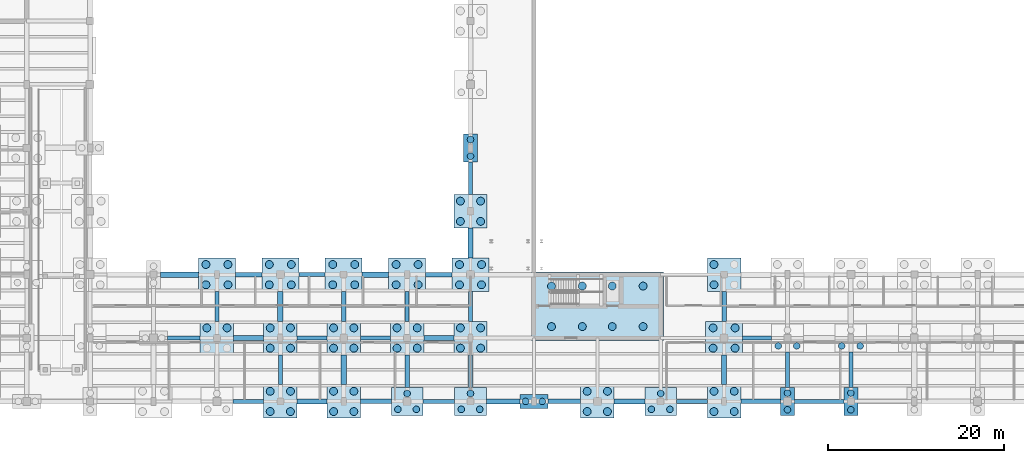
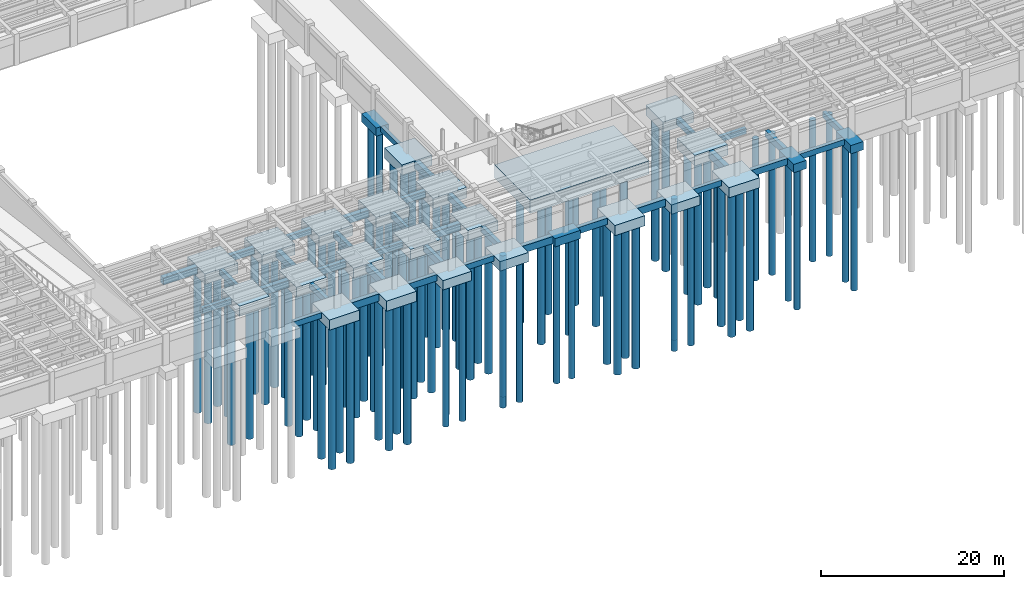
# One storey, part 2 of 33: 93 piles, 61 footings.
"""IFC4 building model written with IfcOpenShell, lengths in metres."""

from ifc_helpers import new_model, si_unit, direction, frame, origin, origin_2d, place, context, subcontext, project, spatial, rectangle, circle, extrude, material, material_profile, profile_set, type_object, element, save


model = new_model("IFC4")

# Units and contexts
model_context = context("Model", 3, precision=1e-05, world=origin(), true_north=direction((0.0, 1.0)))
body_context = subcontext(model_context, "Body", "Model", "MODEL_VIEW")
ifc_project = project(units=[si_unit("LENGTHUNIT", "METRE"), si_unit("AREAUNIT", "SQUARE_METRE"), si_unit("VOLUMEUNIT", "CUBIC_METRE"), si_unit("PLANEANGLEUNIT", "RADIAN"), si_unit("MASSUNIT", "GRAM", prefix="KILO")], contexts=[model_context])

# Site, building, storey
site_placement = place(None, origin())
site = spatial("IfcSite", under=ifc_project, at=site_placement, CompositionType="ELEMENT")
building_placement = place(site_placement, origin())
building = spatial("IfcBuilding", under=site, at=building_placement, Name="Mithqara Police Headquarters", CompositionType="ELEMENT")
storey_placement = place(building_placement, frame((0.0, 0.0, -4.199951171875)))
storey = spatial("IfcBuildingStorey", under=building, at=storey_placement, Name="B1", CompositionType="ELEMENT", Elevation=-4.199951171875)

# Footings
ifc_material = material(Name="Concrete C40/50", Category="concrete")
footing_type_1 = type_object("IfcFootingType", Name="CORE MAT B1 15000X7800X1750", PredefinedType="PILE_CAP", material=ifc_material)
footing_1_placement = place(storey_placement, frame((87.0, 31.800048828125, -1.75), z_axis=(0.0, 0.0, 1.0), x_axis=(1.0, 0.0, 0.0)))
element("IfcFooting", 1, at=footing_1_placement, inside=storey, type_object=footing_type_1, Name="Core C5 Courtyard South Piled Core Raft", PredefinedType="PILE_CAP", context=body_context, shape_type="SweptSolid", body=[
    extrude(rectangle(XDim=15.0, YDim=7.800048828125, at=origin_2d()), origin(), (0.0, 0.0, 1.0), 1.75),
])
footing_type_2 = type_object("IfcFootingType", Name="GROUND BEAM 450X750", PredefinedType="FOOTING_BEAM", material=ifc_material)
footing_2_placement = place(storey_placement, frame((40.050048828125, 28.199951171875, -0.75), z_axis=(0.0, 0.0, 1.0), x_axis=(1.0, 0.0, 0.0)))
element("IfcFooting", 2, at=footing_2_placement, inside=storey, type_object=footing_type_2, Name="B1 Ground Tie Beam 6-7/E", PredefinedType="FOOTING_BEAM", context=body_context, shape_type="SweptSolid", body=[
    extrude(rectangle(XDim=3.699951171875, YDim=0.449951171875, at=origin_2d()), origin(), (0.0, 0.0, 1.0), 0.75),
])
footing_3_placement = place(storey_placement, frame((47.35009765625, 21.0, -0.75), z_axis=(0.0, 0.0, 1.0), x_axis=(1.0, 0.0, 0.0)))
element("IfcFooting", 3, at=footing_3_placement, inside=storey, type_object=footing_type_2, Name="B1 Ground Tie Beam 7-8/D", PredefinedType="FOOTING_BEAM", context=body_context, shape_type="SweptSolid", body=[
    extrude(rectangle(XDim=3.5, YDim=0.449951171875, at=origin_2d()), origin(), (0.0, 0.0, 1.0), 0.75),
])
for number, where, z_axis, x_axis, name in (
    (4, (43.800048828125, 31.800048828125, -0.75), (0.0, 0.0, 1.0), (1.0, 0.0, 0.0), "B1 Ground Tie Beam 7/E-F"),
    (5, (51.0, 24.60009765625, -0.75), (0.0, 0.0, 1.0), (1.0, 0.0, 0.0), "B1 Ground Tie Beam 8/D-E"),
):
    element("IfcFooting", number, at=place(storey_placement, frame(where, z_axis=z_axis, x_axis=x_axis)), inside=storey, type_object=footing_type_2, Name=name, PredefinedType="FOOTING_BEAM", context=body_context, shape_type="SweptSolid", body=[
        extrude(rectangle(XDim=0.449951171875, YDim=3.39990234375, at=origin_2d()), origin(), (0.0, 0.0, 1.0), 0.75),
    ])
footing_4_placement = place(storey_placement, frame((54.60009765625, 35.39990234375, -0.75), z_axis=(0.0, 0.0, 1.0), x_axis=(1.0, 0.0, 0.0)))
element("IfcFooting", 6, at=footing_4_placement, inside=storey, type_object=footing_type_2, Name="B1 Ground Tie Beam 8-9/F", PredefinedType="FOOTING_BEAM", context=body_context, shape_type="SweptSolid", body=[
    extrude(rectangle(XDim=3.0, YDim=0.449951171875, at=origin_2d()), origin(), (0.0, 0.0, 1.0), 0.75),
])
footing_5_placement = place(storey_placement, frame((61.800048828125, 28.199951171875, -0.75), z_axis=(0.0, 0.0, 1.0), x_axis=(1.0, 0.0, 0.0)))
element("IfcFooting", 7, at=footing_5_placement, inside=storey, type_object=footing_type_2, Name="B1 Ground Tie Beam 9-10/E", PredefinedType="FOOTING_BEAM", context=body_context, shape_type="SweptSolid", body=[
    extrude(rectangle(XDim=3.39990234375, YDim=0.449951171875, at=origin_2d()), origin(), (0.0, 0.0, 1.0), 0.75),
])
footing_6_placement = place(storey_placement, frame((69.0, 21.0, -0.75), z_axis=(0.0, 0.0, 1.0), x_axis=(1.0, 0.0, 0.0)))
element("IfcFooting", 8, at=footing_6_placement, inside=storey, type_object=footing_type_2, Name="B1 Ground Tie Beam 10-11/D", PredefinedType="FOOTING_BEAM", context=body_context, shape_type="SweptSolid", body=[
    extrude(rectangle(XDim=3.60009765625, YDim=0.449951171875, at=origin_2d()), origin(), (0.0, 0.0, 1.0), 0.75),
])
footing_7_placement = place(storey_placement, frame((65.39990234375, 31.800048828125, -0.75), z_axis=(0.0, 0.0, 1.0), x_axis=(1.0, 0.0, 0.0)))
element("IfcFooting", 9, at=footing_7_placement, inside=storey, type_object=footing_type_2, Name="B1 Ground Tie Beam 10/E-F", PredefinedType="FOOTING_BEAM", context=body_context, shape_type="SweptSolid", body=[
    extrude(rectangle(XDim=0.449951171875, YDim=3.39990234375, at=origin_2d()), origin(), (0.0, 0.0, 1.0), 0.75),
])
for number, where, z_axis, x_axis, name in (
    (10, (72.60009765625, 24.449951171875, -0.75), (0.0, 0.0, 1.0), (1.0, 0.0, 0.0), "B1 Ground Tie Beam 11/D-E"),
    (11, (72.60009765625, 46.35009765625, -0.75), (0.0, 0.0, 1.0), (1.0, 0.0, 0.0), "B1 Ground Tie Beam 11/G-H"),
):
    element("IfcFooting", number, at=place(storey_placement, frame(where, z_axis=z_axis, x_axis=x_axis)), inside=storey, type_object=footing_type_2, Name=name, PredefinedType="FOOTING_BEAM", context=body_context, shape_type="SweptSolid", body=[
        extrude(rectangle(XDim=0.449951171875, YDim=3.699951171875, at=origin_2d()), origin(), (0.0, 0.0, 1.0), 0.75),
    ])
footing_8_placement = place(storey_placement, frame((97.75, 21.0, -0.75), z_axis=(0.0, 0.0, 1.0), x_axis=(1.0, 0.0, 0.0)))
element("IfcFooting", 12, at=footing_8_placement, inside=storey, type_object=footing_type_2, Name="B1 Ground Tie Beam 14-15/D", PredefinedType="FOOTING_BEAM", context=body_context, shape_type="SweptSolid", body=[
    extrude(rectangle(XDim=3.5, YDim=0.449951171875, at=origin_2d()), origin(), (0.0, 0.0, 1.0), 0.75),
])
footing_9_placement = place(storey_placement, frame((105.14990234375, 28.199951171875, -0.75), z_axis=(0.0, 0.0, 1.0), x_axis=(1.0, 0.0, 0.0)))
element("IfcFooting", 13, at=footing_9_placement, inside=storey, type_object=footing_type_2, Name="B1 Ground Tie Beam 15-16/E", PredefinedType="FOOTING_BEAM", context=body_context, shape_type="SweptSolid", body=[
    extrude(rectangle(XDim=3.300048828125, YDim=0.449951171875, at=origin_2d()), origin(), (0.0, 0.0, 1.0), 0.75),
])
footing_10_placement = place(storey_placement, frame((112.199951171875, 21.0, -0.75), z_axis=(0.0, 0.0, 1.0), x_axis=(1.0, 0.0, 0.0)))
element("IfcFooting", 14, at=footing_10_placement, inside=storey, type_object=footing_type_2, Name="B1 Ground Tie Beam 16-17/D", PredefinedType="FOOTING_BEAM", context=body_context, shape_type="SweptSolid", body=[
    extrude(rectangle(XDim=5.60009765625, YDim=0.449951171875, at=origin_2d()), origin(), (0.0, 0.0, 1.0), 0.75),
])
footing_11_placement = place(storey_placement, frame((115.800048828125, 24.60009765625, -0.75), z_axis=(0.0, 0.0, 1.0), x_axis=(1.0, 0.0, 0.0)))
element("IfcFooting", 15, at=footing_11_placement, inside=storey, type_object=footing_type_2, Name="B1 Ground Tie Beam 17/D-E", PredefinedType="FOOTING_BEAM", context=body_context, shape_type="SweptSolid", body=[
    extrude(rectangle(XDim=0.449951171875, YDim=4.0, at=origin_2d()), origin(), (0.0, 0.0, 1.0), 0.75),
])
footing_type_3 = type_object("IfcFootingType", Name="GROUND BEAM 500X850", PredefinedType="FOOTING_BEAM", material=ifc_material)
footing_12_placement = place(storey_placement, frame((47.39990234375, 35.39990234375, -0.85009765625), z_axis=(0.0, 0.0, 1.0), x_axis=(1.0, 0.0, 0.0)))
element("IfcFooting", 16, at=footing_12_placement, inside=storey, type_object=footing_type_3, Name="B1 Ground Tie Beam 7-8/F", PredefinedType="FOOTING_BEAM", context=body_context, shape_type="SweptSolid", body=[
    extrude(rectangle(XDim=3.0, YDim=0.5, at=origin_2d()), origin(), (0.0, 0.0, 1.0), 0.85009765625),
])
footing_13_placement = place(storey_placement, frame((54.60009765625, 28.199951171875, -0.85009765625), z_axis=(0.0, 0.0, 1.0), x_axis=(1.0, 0.0, 0.0)))
element("IfcFooting", 17, at=footing_13_placement, inside=storey, type_object=footing_type_3, Name="B1 Ground Tie Beam 8-9/E", PredefinedType="FOOTING_BEAM", context=body_context, shape_type="SweptSolid", body=[
    extrude(rectangle(XDim=3.39990234375, YDim=0.5, at=origin_2d()), origin(), (0.0, 0.0, 1.0), 0.85009765625),
])
footing_14_placement = place(storey_placement, frame((61.85009765625, 21.0, -0.85009765625), z_axis=(0.0, 0.0, 1.0), x_axis=(1.0, 0.0, 0.0)))
element("IfcFooting", 18, at=footing_14_placement, inside=storey, type_object=footing_type_3, Name="B1 Ground Tie Beam 9-10/D", PredefinedType="FOOTING_BEAM", context=body_context, shape_type="SweptSolid", body=[
    extrude(rectangle(XDim=3.5, YDim=0.5, at=origin_2d()), origin(), (0.0, 0.0, 1.0), 0.85009765625),
])
footing_15_placement = place(storey_placement, frame((58.199951171875, 31.800048828125, -0.85009765625), z_axis=(0.0, 0.0, 1.0), x_axis=(1.0, 0.0, 0.0)))
element("IfcFooting", 19, at=footing_15_placement, inside=storey, type_object=footing_type_3, Name="B1 Ground Tie Beam 9/E-F", PredefinedType="FOOTING_BEAM", context=body_context, shape_type="SweptSolid", body=[
    extrude(rectangle(XDim=0.5, YDim=3.39990234375, at=origin_2d()), origin(), (0.0, 0.0, 1.0), 0.85009765625),
])
footing_16_placement = place(storey_placement, frame((65.39990234375, 24.449951171875, -0.85009765625), z_axis=(0.0, 0.0, 1.0), x_axis=(1.0, 0.0, 0.0)))
element("IfcFooting", 20, at=footing_16_placement, inside=storey, type_object=footing_type_3, Name="B1 Ground Tie Beam 10/D-E", PredefinedType="FOOTING_BEAM", context=body_context, shape_type="SweptSolid", body=[
    extrude(rectangle(XDim=0.5, YDim=3.699951171875, at=origin_2d()), origin(), (0.0, 0.0, 1.0), 0.85009765625),
])
footing_17_placement = place(storey_placement, frame((69.0, 35.39990234375, -0.85009765625), z_axis=(0.0, 0.0, 1.0), x_axis=(1.0, 0.0, 0.0)))
element("IfcFooting", 21, at=footing_17_placement, inside=storey, type_object=footing_type_3, Name="B1 Ground Tie Beam 10-11/F", PredefinedType="FOOTING_BEAM", context=body_context, shape_type="SweptSolid", body=[
    extrude(rectangle(XDim=3.0, YDim=0.5, at=origin_2d()), origin(), (0.0, 0.0, 1.0), 0.85009765625),
])
footing_18_placement = place(storey_placement, frame((72.60009765625, 31.800048828125, -0.85009765625), z_axis=(0.0, 0.0, 1.0), x_axis=(1.0, 0.0, 0.0)))
element("IfcFooting", 22, at=footing_18_placement, inside=storey, type_object=footing_type_3, Name="B1 Ground Tie Beam 11/E-F", PredefinedType="FOOTING_BEAM", context=body_context, shape_type="SweptSolid", body=[
    extrude(rectangle(XDim=0.5, YDim=3.39990234375, at=origin_2d()), origin(), (0.0, 0.0, 1.0), 0.85009765625),
])
footing_19_placement = place(storey_placement, frame((83.25, 21.0, -0.85009765625), z_axis=(0.0, 0.0, 1.0), x_axis=(1.0, 0.0, 0.0)))
element("IfcFooting", 23, at=footing_19_placement, inside=storey, type_object=footing_type_3, Name="B1 Ground Tie Beam 12-13/D", PredefinedType="FOOTING_BEAM", context=body_context, shape_type="SweptSolid", body=[
    extrude(rectangle(XDim=3.699951171875, YDim=0.5, at=origin_2d()), origin(), (0.0, 0.0, 1.0), 0.85009765625),
])
footing_20_placement = place(storey_placement, frame((105.550048828125, 21.0, -0.85009765625), z_axis=(0.0, 0.0, 1.0), x_axis=(1.0, 0.0, 0.0)))
element("IfcFooting", 24, at=footing_20_placement, inside=storey, type_object=footing_type_3, Name="B1 Ground Tie Beam 15-16/D", PredefinedType="FOOTING_BEAM", context=body_context, shape_type="SweptSolid", body=[
    extrude(rectangle(XDim=4.5, YDim=0.5, at=origin_2d()), origin(), (0.0, 0.0, 1.0), 0.85009765625),
])
footing_21_placement = place(storey_placement, frame((101.39990234375, 31.800048828125, -0.85009765625), z_axis=(0.0, 0.0, 1.0), x_axis=(1.0, 0.0, 0.0)))
element("IfcFooting", 25, at=footing_21_placement, inside=storey, type_object=footing_type_3, Name="B1 Ground Tie Beam 15/E-F", PredefinedType="FOOTING_BEAM", context=body_context, shape_type="SweptSolid", body=[
    extrude(rectangle(XDim=0.5, YDim=3.39990234375, at=origin_2d()), origin(), (0.0, 0.0, 1.0), 0.85009765625),
])
footing_22_placement = place(storey_placement, frame((108.60009765625, 24.60009765625, -0.85009765625), z_axis=(0.0, 0.0, 1.0), x_axis=(1.0, 0.0, 0.0)))
element("IfcFooting", 26, at=footing_22_placement, inside=storey, type_object=footing_type_3, Name="B1 Ground Tie Beam 16/D-E", PredefinedType="FOOTING_BEAM", context=body_context, shape_type="SweptSolid", body=[
    extrude(rectangle(XDim=0.5, YDim=4.0, at=origin_2d()), origin(), (0.0, 0.0, 1.0), 0.85009765625),
])
footing_type_4 = type_object("IfcFootingType", Name="GROUND BEAM 600X950", PredefinedType="FOOTING_BEAM", material=ifc_material)
footing_23_placement = place(storey_placement, frame((39.550048828125, 35.39990234375, -0.9501953125), z_axis=(0.0, 0.0, 1.0), x_axis=(1.0, 0.0, 0.0)))
element("IfcFooting", 27, at=footing_23_placement, inside=storey, type_object=footing_type_4, Name="B1 Ground Tie Beam 6-7/F", PredefinedType="FOOTING_BEAM", context=body_context, shape_type="SweptSolid", body=[
    extrude(rectangle(XDim=4.300048828125, YDim=0.60009765625, at=origin_2d()), origin(), (0.0, 0.0, 1.0), 0.949951171875),
])
for number, where, z_axis, x_axis, name in (
    (28, (47.39990234375, 28.199951171875, -0.9501953125), (0.0, 0.0, 1.0), (1.0, 0.0, 0.0), "B1 Ground Tie Beam 7-8/E"),
    (29, (54.60009765625, 21.0, -0.9501953125), (0.0, 0.0, 1.0), (1.0, 0.0, 0.0), "B1 Ground Tie Beam 8-9/D"),
):
    element("IfcFooting", number, at=place(storey_placement, frame(where, z_axis=z_axis, x_axis=x_axis)), inside=storey, type_object=footing_type_4, Name=name, PredefinedType="FOOTING_BEAM", context=body_context, shape_type="SweptSolid", body=[
        extrude(rectangle(XDim=3.39990234375, YDim=0.60009765625, at=origin_2d()), origin(), (0.0, 0.0, 1.0), 0.949951171875),
    ])
for number, where, z_axis, x_axis, name in (
    (30, (51.0, 31.800048828125, -0.9501953125), (0.0, 0.0, 1.0), (1.0, 0.0, 0.0), "B1 Ground Tie Beam 8/E-F"),
    (31, (58.199951171875, 24.60009765625, -0.9501953125), (0.0, 0.0, 1.0), (1.0, 0.0, 0.0), "B1 Ground Tie Beam 9/D-E"),
):
    element("IfcFooting", number, at=place(storey_placement, frame(where, z_axis=z_axis, x_axis=x_axis)), inside=storey, type_object=footing_type_4, Name=name, PredefinedType="FOOTING_BEAM", context=body_context, shape_type="SweptSolid", body=[
        extrude(rectangle(XDim=0.60009765625, YDim=3.39990234375, at=origin_2d()), origin(), (0.0, 0.0, 1.0), 0.949951171875),
    ])
footing_24_placement = place(storey_placement, frame((61.800048828125, 35.39990234375, -0.9501953125), z_axis=(0.0, 0.0, 1.0), x_axis=(1.0, 0.0, 0.0)))
element("IfcFooting", 32, at=footing_24_placement, inside=storey, type_object=footing_type_4, Name="B1 Ground Tie Beam 9-10/F", PredefinedType="FOOTING_BEAM", context=body_context, shape_type="SweptSolid", body=[
    extrude(rectangle(XDim=3.0, YDim=0.60009765625, at=origin_2d()), origin(), (0.0, 0.0, 1.0), 0.949951171875),
])
footing_25_placement = place(storey_placement, frame((69.0, 28.199951171875, -0.9501953125), z_axis=(0.0, 0.0, 1.0), x_axis=(1.0, 0.0, 0.0)))
element("IfcFooting", 33, at=footing_25_placement, inside=storey, type_object=footing_type_4, Name="B1 Ground Tie Beam 10-11/E", PredefinedType="FOOTING_BEAM", context=body_context, shape_type="SweptSolid", body=[
    extrude(rectangle(XDim=3.39990234375, YDim=0.60009765625, at=origin_2d()), origin(), (0.0, 0.0, 1.0), 0.949951171875),
])
footing_26_placement = place(storey_placement, frame((76.300048828125, 21.0, -0.9501953125), z_axis=(0.0, 0.0, 1.0), x_axis=(1.0, 0.0, 0.0)))
element("IfcFooting", 34, at=footing_26_placement, inside=storey, type_object=footing_type_4, Name="B1 Ground Tie Beam 11-12/D", PredefinedType="FOOTING_BEAM", context=body_context, shape_type="SweptSolid", body=[
    extrude(rectangle(XDim=3.800048828125, YDim=0.60009765625, at=origin_2d()), origin(), (0.0, 0.0, 1.0), 0.949951171875),
])
footing_27_placement = place(storey_placement, frame((72.60009765625, 39.0, -0.9501953125), z_axis=(0.0, 0.0, 1.0), x_axis=(1.0, 0.0, 0.0)))
element("IfcFooting", 35, at=footing_27_placement, inside=storey, type_object=footing_type_4, Name="B1 Ground Tie Beam 11/F-G", PredefinedType="FOOTING_BEAM", context=body_context, shape_type="SweptSolid", body=[
    extrude(rectangle(XDim=0.60009765625, YDim=3.39990234375, at=origin_2d()), origin(), (0.0, 0.0, 1.0), 0.949951171875),
])
footing_28_placement = place(storey_placement, frame((90.64990234375, 21.0, -0.9501953125), z_axis=(0.0, 0.0, 1.0), x_axis=(1.0, 0.0, 0.0)))
element("IfcFooting", 36, at=footing_28_placement, inside=storey, type_object=footing_type_4, Name="B1 Ground Tie Beam 13-14/D", PredefinedType="FOOTING_BEAM", context=body_context, shape_type="SweptSolid", body=[
    extrude(rectangle(XDim=3.5, YDim=0.60009765625, at=origin_2d()), origin(), (0.0, 0.0, 1.0), 0.949951171875),
])
footing_29_placement = place(storey_placement, frame((101.39990234375, 24.60009765625, -0.9501953125), z_axis=(0.0, 0.0, 1.0), x_axis=(1.0, 0.0, 0.0)))
element("IfcFooting", 37, at=footing_29_placement, inside=storey, type_object=footing_type_4, Name="B1 Ground Tie Beam 15/D-E", PredefinedType="FOOTING_BEAM", context=body_context, shape_type="SweptSolid", body=[
    extrude(rectangle(XDim=0.60009765625, YDim=3.39990234375, at=origin_2d()), origin(), (0.0, 0.0, 1.0), 0.949951171875),
])
footing_type_5 = type_object("IfcFootingType", Name="PILE CAP 2P 1600X3200X1100", PredefinedType="PILE_CAP", material=ifc_material)
for number, where, z_axis, x_axis, name in (
    (38, (72.60009765625, 49.800048828125, -1.10009765625), (0.0, 0.0, 1.0), (1.0, 0.0, 0.0), "B1 Pile Cap 11/H"),
    (39, (108.60009765625, 21.0, -1.10009765625), (0.0, 0.0, 1.0), (1.0, 0.0, 0.0), "B1 Pile Cap 16/D"),
    (40, (115.800048828125, 21.0, -1.10009765625), (0.0, 0.0, 1.0), (1.0, 0.0, 0.0), "B1 Pile Cap 17/D"),
):
    element("IfcFooting", number, at=place(storey_placement, frame(where, z_axis=z_axis, x_axis=x_axis)), inside=storey, type_object=footing_type_5, Name=name, PredefinedType="PILE_CAP", context=body_context, shape_type="SweptSolid", body=[
        extrude(rectangle(XDim=1.60009765625, YDim=3.199951171875, at=origin_2d()), origin(), (0.0, 0.0, 1.0), 1.10009765625),
    ])
footing_type_6 = type_object("IfcFootingType", Name="PILE CAP 2P 3200X1600X1100", PredefinedType="PILE_CAP", material=ifc_material)
footing_30_placement = place(storey_placement, frame((79.800048828125, 21.0, -1.10009765625), z_axis=(0.0, 0.0, 1.0), x_axis=(1.0, 0.0, 0.0)))
element("IfcFooting", 41, at=footing_30_placement, inside=storey, type_object=footing_type_6, Name="B1 Pile Cap 12/D", PredefinedType="PILE_CAP", context=body_context, shape_type="SweptSolid", body=[
    extrude(rectangle(XDim=3.199951171875, YDim=1.60009765625, at=origin_2d()), origin(), (0.0, 0.0, 1.0), 1.10009765625),
])
footing_type_7 = type_object("IfcFootingType", Name="PILE CAP 3P 3600X3200X1250", PredefinedType="PILE_CAP", material=ifc_material)
for number, where, z_axis, x_axis, name in (
    (42, (65.39990234375, 21.0, -1.25), (0.0, 0.0, 1.0), (1.0, 0.0, 0.0), "B1 Pile Cap 10/D"),
    (43, (72.60009765625, 21.0, -1.25), (0.0, 0.0, 1.0), (1.0, 0.0, 0.0), "B1 Pile Cap 11/D"),
    (44, (94.199951171875, 21.0, -1.25), (0.0, 0.0, 1.0), (1.0, 0.0, 0.0), "B1 Pile Cap 14/D"),
):
    element("IfcFooting", number, at=place(storey_placement, frame(where, z_axis=z_axis, x_axis=x_axis)), inside=storey, type_object=footing_type_7, Name=name, PredefinedType="PILE_CAP", context=body_context, shape_type="SweptSolid", body=[
        extrude(rectangle(XDim=3.60009765625, YDim=3.199951171875, at=origin_2d()), origin(), (0.0, 0.0, 1.0), 1.25),
    ])
footing_type_8 = type_object("IfcFootingType", Name="PILE CAP 4P 3800X3800X1350", PredefinedType="PILE_CAP", material=ifc_material)
for number, where, z_axis, x_axis, name in (
    (45, (43.800048828125, 28.199951171875, -1.35009765625), (0.0, 0.0, 1.0), (1.0, 0.0, 0.0), "B1 Pile Cap 7/E"),
    (46, (51.0, 21.0, -1.35009765625), (0.0, 0.0, 1.0), (1.0, 0.0, 0.0), "B1 Pile Cap 8/D"),
    (47, (51.0, 28.199951171875, -1.35009765625), (0.0, 0.0, 1.0), (1.0, 0.0, 0.0), "B1 Pile Cap 8/E"),
    (48, (58.199951171875, 21.0, -1.35009765625), (0.0, 0.0, 1.0), (1.0, 0.0, 0.0), "B1 Pile Cap 9/D"),
    (49, (58.199951171875, 28.199951171875, -1.35009765625), (0.0, 0.0, 1.0), (1.0, 0.0, 0.0), "B1 Pile Cap 9/E"),
    (50, (65.39990234375, 28.199951171875, -1.35009765625), (0.0, 0.0, 1.0), (1.0, 0.0, 0.0), "B1 Pile Cap 10/E"),
    (51, (72.60009765625, 28.199951171875, -1.35009765625), (0.0, 0.0, 1.0), (1.0, 0.0, 0.0), "B1 Pile Cap 11/E"),
    (52, (72.60009765625, 42.60009765625, -1.35009765625), (0.0, 0.0, 1.0), (1.0, 0.0, 0.0), "B1 Pile Cap 11/G"),
    (53, (87.0, 21.0, -1.35009765625), (0.0, 0.0, 1.0), (1.0, 0.0, 0.0), "B1 Pile Cap 13/D"),
    (54, (101.39990234375, 21.0, -1.35009765625), (0.0, 0.0, 1.0), (1.0, 0.0, 0.0), "B1 Pile Cap 15/D"),
    (55, (101.39990234375, 35.39990234375, -1.35009765625), (0.0, 0.0, 1.0), (1.0, 0.0, 0.0), "B1 Pile Cap 15/F"),
):
    element("IfcFooting", number, at=place(storey_placement, frame(where, z_axis=z_axis, x_axis=x_axis)), inside=storey, type_object=footing_type_8, Name=name, PredefinedType="PILE_CAP", context=body_context, shape_type="SweptSolid", body=[
        extrude(rectangle(XDim=3.800048828125, YDim=3.800048828125, at=origin_2d()), origin(), (0.0, 0.0, 1.0), 1.35009765625),
    ])
footing_type_9 = type_object("IfcFootingType", Name="PILE CAP 4P 4200X3800X1400", PredefinedType="PILE_CAP", material=ifc_material)
for number, where, z_axis, x_axis, name in (
    (56, (43.800048828125, 35.39990234375, -1.39990234375), (0.0, 0.0, 1.0), (1.0, 0.0, 0.0), "B1 Pile Cap 7/F"),
    (57, (51.0, 35.39990234375, -1.39990234375), (0.0, 0.0, 1.0), (1.0, 0.0, 0.0), "B1 Pile Cap 8/F"),
    (58, (58.199951171875, 35.39990234375, -1.39990234375), (0.0, 0.0, 1.0), (1.0, 0.0, 0.0), "B1 Pile Cap 9/F"),
    (59, (65.39990234375, 35.39990234375, -1.39990234375), (0.0, 0.0, 1.0), (1.0, 0.0, 0.0), "B1 Pile Cap 10/F"),
    (60, (72.60009765625, 35.39990234375, -1.39990234375), (0.0, 0.0, 1.0), (1.0, 0.0, 0.0), "B1 Pile Cap 11/F"),
    (61, (101.39990234375, 28.199951171875, -1.39990234375), (0.0, 0.0, 1.0), (1.0, 0.0, 0.0), "B1 Pile Cap 15/E"),
):
    element("IfcFooting", number, at=place(storey_placement, frame(where, z_axis=z_axis, x_axis=x_axis)), inside=storey, type_object=footing_type_9, Name=name, PredefinedType="PILE_CAP", context=body_context, shape_type="SweptSolid", body=[
        extrude(rectangle(XDim=4.199951171875, YDim=3.800048828125, at=origin_2d()), origin(), (0.0, 0.0, 1.0), 1.39990234375),
    ])

# Piles
ifc_material_profile_1 = material_profile(ifc_material, circle(Radius=0.375, at=origin_2d()), Name="PILE D750")
ifc_profile_set_1 = profile_set([ifc_material_profile_1], Name="Concrete C40/50")
pile_type_1 = type_object("IfcPileType", Name="PILE D750 18M", PredefinedType="BORED", material=ifc_profile_set_1)
for number, where, z_axis, x_axis, name in (
    (62, (64.35009765625, 20.10009765625, -1.10009765625), (0.0, 0.0, -1.0), (1.0, 0.0, 0.0), "Bored Pile 10/D-1"),
    (63, (66.449951171875, 20.10009765625, -1.10009765625), (0.0, 0.0, -1.0), (1.0, 0.0, 0.0), "Bored Pile 10/D-2"),
    (64, (65.39990234375, 21.89990234375, -1.10009765625), (0.0, 0.0, -1.0), (1.0, 0.0, 0.0), "Bored Pile 10/D-3"),
    (65, (71.550048828125, 20.10009765625, -1.10009765625), (0.0, 0.0, -1.0), (1.0, 0.0, 0.0), "Bored Pile 11/D-1"),
    (66, (73.64990234375, 20.10009765625, -1.10009765625), (0.0, 0.0, -1.0), (1.0, 0.0, 0.0), "Bored Pile 11/D-2"),
    (67, (72.60009765625, 21.89990234375, -1.10009765625), (0.0, 0.0, -1.0), (1.0, 0.0, 0.0), "Bored Pile 11/D-3"),
    (68, (72.60009765625, 48.85009765625, -0.949951171875), (0.0, 0.0, -1.0), (1.0, 0.0, 0.0), "Bored Pile 11/H-1"),
    (69, (72.60009765625, 50.75, -0.949951171875), (0.0, 0.0, -1.0), (1.0, 0.0, 0.0), "Bored Pile 11/H-2"),
    (70, (78.85009765625, 21.0, -0.949951171875), (0.0, 0.0, -1.0), (1.0, 0.0, 0.0), "Bored Pile 12/D-1"),
    (71, (80.75, 21.0, -0.949951171875), (0.0, 0.0, -1.0), (1.0, 0.0, 0.0), "Bored Pile 12/D-2"),
    (72, (93.14990234375, 20.10009765625, -1.10009765625), (0.0, 0.0, -1.0), (1.0, 0.0, 0.0), "Bored Pile 14/D-1"),
    (73, (95.25, 20.10009765625, -1.10009765625), (0.0, 0.0, -1.0), (1.0, 0.0, 0.0), "Bored Pile 14/D-2"),
    (74, (94.199951171875, 21.89990234375, -1.10009765625), (0.0, 0.0, -1.0), (1.0, 0.0, 0.0), "Bored Pile 14/D-3"),
    (75, (108.60009765625, 20.050048828125, -0.949951171875), (0.0, 0.0, -1.0), (1.0, 0.0, 0.0), "Bored Pile 16/D-1"),
    (76, (108.60009765625, 21.949951171875, -0.949951171875), (0.0, 0.0, -1.0), (1.0, 0.0, 0.0), "Bored Pile 16/D-2"),
    (77, (107.550048828125, 27.300048828125, -1.10009765625), (0.0, 0.0, -1.0), (1.0, 0.0, 0.0), "Bored Pile 16/E-1"),
    (78, (109.64990234375, 27.300048828125, -1.10009765625), (0.0, 0.0, -1.0), (1.0, 0.0, 0.0), "Bored Pile 16/E-2"),
    (79, (115.800048828125, 20.050048828125, -0.949951171875), (0.0, 0.0, -1.0), (1.0, 0.0, 0.0), "Bored Pile 17/D-1"),
    (80, (115.800048828125, 21.949951171875, -0.949951171875), (0.0, 0.0, -1.0), (1.0, 0.0, 0.0), "Bored Pile 17/D-2"),
    (81, (114.75, 27.300048828125, -1.10009765625), (0.0, 0.0, -1.0), (1.0, 0.0, 0.0), "Bored Pile 17/E-1"),
    (82, (116.85009765625, 27.300048828125, -1.10009765625), (0.0, 0.0, -1.0), (1.0, 0.0, 0.0), "Bored Pile 17/E-2"),
):
    element("IfcPile", number, at=place(storey_placement, frame(where, z_axis=z_axis, x_axis=x_axis)), inside=storey, type_object=pile_type_1, Name=name, PredefinedType="BORED", context=body_context, shape_type="SweptSolid", body=[
        extrude(circle(Radius=0.375, at=origin_2d()), origin(), (0.0, 0.0, 1.0), 18.85009765625),
    ])
ifc_material_profile_2 = material_profile(ifc_material, circle(Radius=0.449951171875, at=origin_2d()), Name="PILE D900")
ifc_profile_set_2 = profile_set([ifc_material_profile_2], Name="Concrete C40/50")
pile_type_2 = type_object("IfcPileType", Name="PILE D900 19M", PredefinedType="BORED", material=ifc_profile_set_2)
for number, where, z_axis, x_axis, name in (
    (83, (81.800048828125, 29.5, -1.60009765625), (0.0, 0.0, -1.0), (1.0, 0.0, 0.0), "Core C5 Courtyard South Bored Pile 1"),
    (84, (85.300048828125, 29.5, -1.60009765625), (0.0, 0.0, -1.0), (1.0, 0.0, 0.0), "Core C5 Courtyard South Bored Pile 2"),
    (85, (88.699951171875, 29.5, -1.60009765625), (0.0, 0.0, -1.0), (1.0, 0.0, 0.0), "Core C5 Courtyard South Bored Pile 3"),
    (86, (92.199951171875, 29.5, -1.60009765625), (0.0, 0.0, -1.0), (1.0, 0.0, 0.0), "Core C5 Courtyard South Bored Pile 4"),
    (87, (81.800048828125, 34.10009765625, -1.60009765625), (0.0, 0.0, -1.0), (1.0, 0.0, 0.0), "Core C5 Courtyard South Bored Pile 5"),
    (88, (85.300048828125, 34.10009765625, -1.60009765625), (0.0, 0.0, -1.0), (1.0, 0.0, 0.0), "Core C5 Courtyard South Bored Pile 6"),
    (89, (88.699951171875, 34.10009765625, -1.60009765625), (0.0, 0.0, -1.0), (1.0, 0.0, 0.0), "Core C5 Courtyard South Bored Pile 7"),
    (90, (92.199951171875, 34.10009765625, -1.60009765625), (0.0, 0.0, -1.0), (1.0, 0.0, 0.0), "Core C5 Courtyard South Bored Pile 8"),
    (91, (42.64990234375, 29.35009765625, -1.199951171875), (0.0, 0.0, -1.0), (1.0, 0.0, 0.0), "Bored Pile 7/E-3"),
    (92, (44.949951171875, 29.35009765625, -1.199951171875), (0.0, 0.0, -1.0), (1.0, 0.0, 0.0), "Bored Pile 7/E-4"),
    (93, (42.550048828125, 34.25, -1.25), (0.0, 0.0, -1.0), (1.0, 0.0, 0.0), "Bored Pile 7/F-1"),
    (94, (45.050048828125, 34.25, -1.25), (0.0, 0.0, -1.0), (1.0, 0.0, 0.0), "Bored Pile 7/F-2"),
    (95, (42.550048828125, 36.550048828125, -1.25), (0.0, 0.0, -1.0), (1.0, 0.0, 0.0), "Bored Pile 7/F-3"),
    (96, (45.050048828125, 36.550048828125, -1.25), (0.0, 0.0, -1.0), (1.0, 0.0, 0.0), "Bored Pile 7/F-4"),
    (97, (49.85009765625, 19.85009765625, -1.199951171875), (0.0, 0.0, -1.0), (1.0, 0.0, 0.0), "Bored Pile 8/D-1"),
    (98, (52.14990234375, 19.85009765625, -1.199951171875), (0.0, 0.0, -1.0), (1.0, 0.0, 0.0), "Bored Pile 8/D-2"),
    (99, (49.85009765625, 22.14990234375, -1.199951171875), (0.0, 0.0, -1.0), (1.0, 0.0, 0.0), "Bored Pile 8/D-3"),
    (100, (52.14990234375, 22.14990234375, -1.199951171875), (0.0, 0.0, -1.0), (1.0, 0.0, 0.0), "Bored Pile 8/D-4"),
    (101, (49.85009765625, 27.050048828125, -1.199951171875), (0.0, 0.0, -1.0), (1.0, 0.0, 0.0), "Bored Pile 8/E-1"),
    (102, (52.14990234375, 27.050048828125, -1.199951171875), (0.0, 0.0, -1.0), (1.0, 0.0, 0.0), "Bored Pile 8/E-2"),
    (103, (49.85009765625, 29.35009765625, -1.199951171875), (0.0, 0.0, -1.0), (1.0, 0.0, 0.0), "Bored Pile 8/E-3"),
    (104, (52.14990234375, 29.35009765625, -1.199951171875), (0.0, 0.0, -1.0), (1.0, 0.0, 0.0), "Bored Pile 8/E-4"),
    (105, (49.75, 34.25, -1.25), (0.0, 0.0, -1.0), (1.0, 0.0, 0.0), "Bored Pile 8/F-1"),
    (106, (52.25, 34.25, -1.25), (0.0, 0.0, -1.0), (1.0, 0.0, 0.0), "Bored Pile 8/F-2"),
    (107, (49.75, 36.550048828125, -1.25), (0.0, 0.0, -1.0), (1.0, 0.0, 0.0), "Bored Pile 8/F-3"),
    (108, (52.25, 36.550048828125, -1.25), (0.0, 0.0, -1.0), (1.0, 0.0, 0.0), "Bored Pile 8/F-4"),
    (109, (57.050048828125, 19.85009765625, -1.199951171875), (0.0, 0.0, -1.0), (1.0, 0.0, 0.0), "Bored Pile 9/D-1"),
    (110, (59.35009765625, 19.85009765625, -1.199951171875), (0.0, 0.0, -1.0), (1.0, 0.0, 0.0), "Bored Pile 9/D-2"),
    (111, (57.050048828125, 22.14990234375, -1.199951171875), (0.0, 0.0, -1.0), (1.0, 0.0, 0.0), "Bored Pile 9/D-3"),
    (112, (59.35009765625, 22.14990234375, -1.199951171875), (0.0, 0.0, -1.0), (1.0, 0.0, 0.0), "Bored Pile 9/D-4"),
    (113, (57.050048828125, 27.050048828125, -1.199951171875), (0.0, 0.0, -1.0), (1.0, 0.0, 0.0), "Bored Pile 9/E-1"),
    (114, (59.35009765625, 27.050048828125, -1.199951171875), (0.0, 0.0, -1.0), (1.0, 0.0, 0.0), "Bored Pile 9/E-2"),
    (115, (57.050048828125, 29.35009765625, -1.199951171875), (0.0, 0.0, -1.0), (1.0, 0.0, 0.0), "Bored Pile 9/E-3"),
    (116, (59.35009765625, 29.35009765625, -1.199951171875), (0.0, 0.0, -1.0), (1.0, 0.0, 0.0), "Bored Pile 9/E-4"),
    (117, (56.949951171875, 34.25, -1.25), (0.0, 0.0, -1.0), (1.0, 0.0, 0.0), "Bored Pile 9/F-1"),
    (118, (59.449951171875, 34.25, -1.25), (0.0, 0.0, -1.0), (1.0, 0.0, 0.0), "Bored Pile 9/F-2"),
    (119, (56.949951171875, 36.550048828125, -1.25), (0.0, 0.0, -1.0), (1.0, 0.0, 0.0), "Bored Pile 9/F-3"),
    (120, (59.449951171875, 36.550048828125, -1.25), (0.0, 0.0, -1.0), (1.0, 0.0, 0.0), "Bored Pile 9/F-4"),
    (121, (64.25, 27.050048828125, -1.199951171875), (0.0, 0.0, -1.0), (1.0, 0.0, 0.0), "Bored Pile 10/E-1"),
    (122, (66.550048828125, 27.050048828125, -1.199951171875), (0.0, 0.0, -1.0), (1.0, 0.0, 0.0), "Bored Pile 10/E-2"),
    (123, (64.25, 29.35009765625, -1.199951171875), (0.0, 0.0, -1.0), (1.0, 0.0, 0.0), "Bored Pile 10/E-3"),
    (124, (66.550048828125, 29.35009765625, -1.199951171875), (0.0, 0.0, -1.0), (1.0, 0.0, 0.0), "Bored Pile 10/E-4"),
    (125, (64.14990234375, 34.25, -1.25), (0.0, 0.0, -1.0), (1.0, 0.0, 0.0), "Bored Pile 10/F-1"),
    (126, (66.64990234375, 34.25, -1.25), (0.0, 0.0, -1.0), (1.0, 0.0, 0.0), "Bored Pile 10/F-2"),
    (127, (64.14990234375, 36.550048828125, -1.25), (0.0, 0.0, -1.0), (1.0, 0.0, 0.0), "Bored Pile 10/F-3"),
    (128, (66.64990234375, 36.550048828125, -1.25), (0.0, 0.0, -1.0), (1.0, 0.0, 0.0), "Bored Pile 10/F-4"),
    (129, (71.449951171875, 27.050048828125, -1.199951171875), (0.0, 0.0, -1.0), (1.0, 0.0, 0.0), "Bored Pile 11/E-1"),
    (130, (73.75, 27.050048828125, -1.199951171875), (0.0, 0.0, -1.0), (1.0, 0.0, 0.0), "Bored Pile 11/E-2"),
    (131, (71.449951171875, 29.35009765625, -1.199951171875), (0.0, 0.0, -1.0), (1.0, 0.0, 0.0), "Bored Pile 11/E-3"),
    (132, (73.75, 29.35009765625, -1.199951171875), (0.0, 0.0, -1.0), (1.0, 0.0, 0.0), "Bored Pile 11/E-4"),
    (133, (71.35009765625, 34.25, -1.25), (0.0, 0.0, -1.0), (1.0, 0.0, 0.0), "Bored Pile 11/F-1"),
    (134, (73.85009765625, 34.25, -1.25), (0.0, 0.0, -1.0), (1.0, 0.0, 0.0), "Bored Pile 11/F-2"),
    (135, (71.35009765625, 36.550048828125, -1.25), (0.0, 0.0, -1.0), (1.0, 0.0, 0.0), "Bored Pile 11/F-3"),
    (136, (73.85009765625, 36.550048828125, -1.25), (0.0, 0.0, -1.0), (1.0, 0.0, 0.0), "Bored Pile 11/F-4"),
    (137, (71.449951171875, 41.449951171875, -1.199951171875), (0.0, 0.0, -1.0), (1.0, 0.0, 0.0), "Bored Pile 11/G-1"),
    (138, (73.75, 41.449951171875, -1.199951171875), (0.0, 0.0, -1.0), (1.0, 0.0, 0.0), "Bored Pile 11/G-2"),
    (139, (71.449951171875, 43.75, -1.199951171875), (0.0, 0.0, -1.0), (1.0, 0.0, 0.0), "Bored Pile 11/G-3"),
    (140, (73.75, 43.75, -1.199951171875), (0.0, 0.0, -1.0), (1.0, 0.0, 0.0), "Bored Pile 11/G-4"),
    (141, (85.85009765625, 19.85009765625, -1.199951171875), (0.0, 0.0, -1.0), (1.0, 0.0, 0.0), "Bored Pile 13/D-1"),
    (142, (88.14990234375, 19.85009765625, -1.199951171875), (0.0, 0.0, -1.0), (1.0, 0.0, 0.0), "Bored Pile 13/D-2"),
    (143, (85.85009765625, 22.14990234375, -1.199951171875), (0.0, 0.0, -1.0), (1.0, 0.0, 0.0), "Bored Pile 13/D-3"),
    (144, (88.14990234375, 22.14990234375, -1.199951171875), (0.0, 0.0, -1.0), (1.0, 0.0, 0.0), "Bored Pile 13/D-4"),
    (145, (100.25, 19.85009765625, -1.199951171875), (0.0, 0.0, -1.0), (1.0, 0.0, 0.0), "Bored Pile 15/D-1"),
    (146, (102.550048828125, 19.85009765625, -1.199951171875), (0.0, 0.0, -1.0), (1.0, 0.0, 0.0), "Bored Pile 15/D-2"),
    (147, (100.25, 22.14990234375, -1.199951171875), (0.0, 0.0, -1.0), (1.0, 0.0, 0.0), "Bored Pile 15/D-3"),
    (148, (102.550048828125, 22.14990234375, -1.199951171875), (0.0, 0.0, -1.0), (1.0, 0.0, 0.0), "Bored Pile 15/D-4"),
    (149, (100.14990234375, 27.050048828125, -1.25), (0.0, 0.0, -1.0), (1.0, 0.0, 0.0), "Bored Pile 15/E-1"),
    (150, (102.64990234375, 27.050048828125, -1.25), (0.0, 0.0, -1.0), (1.0, 0.0, 0.0), "Bored Pile 15/E-2"),
    (151, (100.14990234375, 29.35009765625, -1.25), (0.0, 0.0, -1.0), (1.0, 0.0, 0.0), "Bored Pile 15/E-3"),
    (152, (102.64990234375, 29.35009765625, -1.25), (0.0, 0.0, -1.0), (1.0, 0.0, 0.0), "Bored Pile 15/E-4"),
    (153, (100.25, 34.25, -1.199951171875), (0.0, 0.0, -1.0), (1.0, 0.0, 0.0), "Bored Pile 15/F-1"),
    (154, (100.25, 36.550048828125, -1.199951171875), (0.0, 0.0, -1.0), (1.0, 0.0, 0.0), "Bored Pile 15/F-3"),
):
    element("IfcPile", number, at=place(storey_placement, frame(where, z_axis=z_axis, x_axis=x_axis)), inside=storey, type_object=pile_type_2, Name=name, PredefinedType="BORED", context=body_context, shape_type="SweptSolid", body=[
        extrude(circle(Radius=0.449951171875, at=origin_2d()), origin(), (0.0, 0.0, 1.0), 19.14990234375),
    ])

save(model, "model.ifc")
